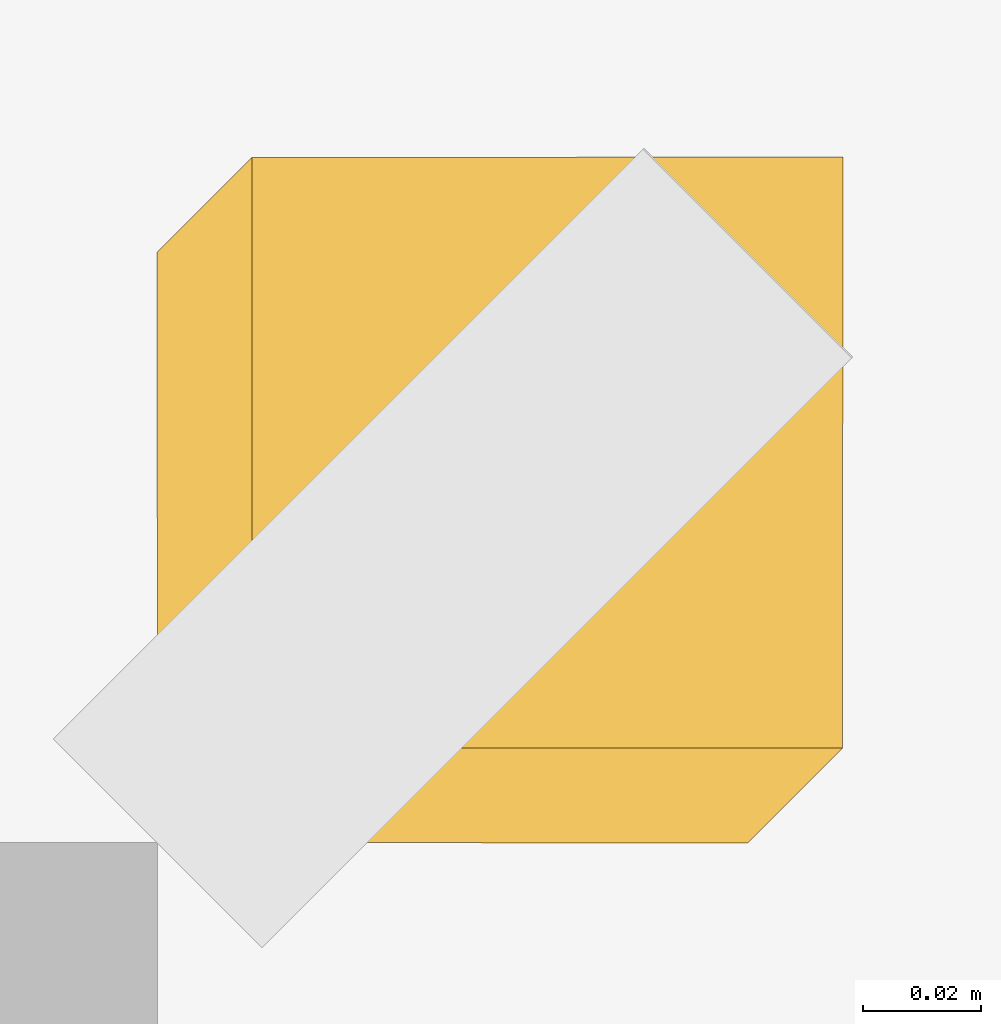
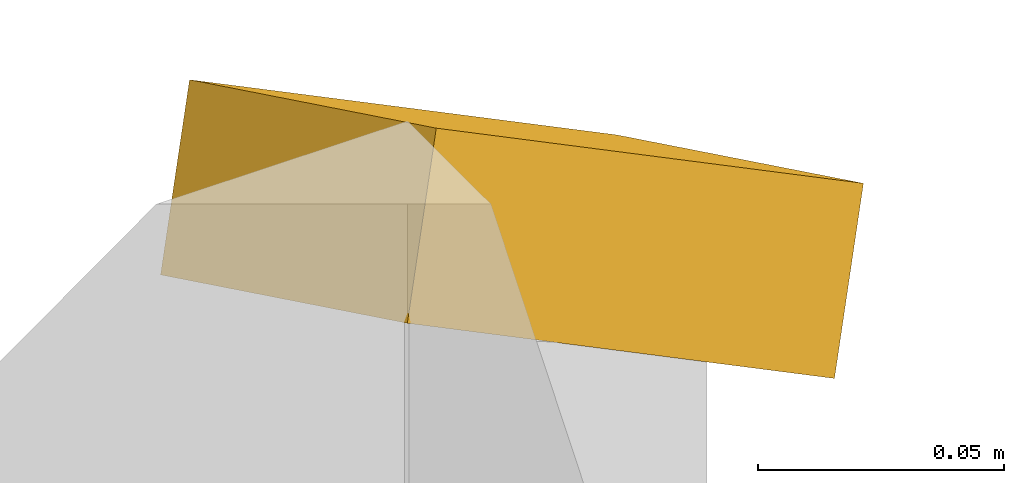
# One storey, part 58 of 59: 1 shading device.
"""IFC4 building model written with IfcOpenShell, lengths in metres."""

from ifc_helpers import new_model, si_unit, direction, frame, origin, place, context, subcontext, project, spatial, polyline, outline, extrude, material, layer, layer_set, type_object, element, save


model = new_model("IFC4")

# Units and contexts
model_context = context("Model", 3, precision=1e-05, world=origin(), true_north=direction((0.0, 1.0)))
body_context = subcontext(model_context, "Body", "Model", "MODEL_VIEW")
ifc_project = project(units=[si_unit("LENGTHUNIT", "METRE"), si_unit("AREAUNIT", "SQUARE_METRE"), si_unit("VOLUMEUNIT", "CUBIC_METRE"), si_unit("PLANEANGLEUNIT", "RADIAN"), si_unit("MASSUNIT", "GRAM", prefix="KILO")], contexts=[model_context])

# Site, building, storey
site_placement = place(None, origin())
site = spatial("IfcSite", under=ifc_project, at=site_placement, CompositionType="ELEMENT")
building_placement = place(site_placement, origin())
building = spatial("IfcBuilding", under=site, at=building_placement, Name="Ussher Court Research Institute", CompositionType="ELEMENT")
storey_placement = place(building_placement, frame((0.0, 0.0, 5.39990234375)))
storey = spatial("IfcBuildingStorey", under=building, at=storey_placement, Name="L01", CompositionType="ELEMENT", Elevation=5.39990234375)

# Shading device
ifc_material = material(Name="Bronze anodised aluminium", Category="aluminium")
ifc_layer = layer(ifc_material, 0.0400390625)
ifc_layer_set = layer_set([ifc_layer], Name="Bronze anodised aluminium")
shading_device_type = type_object("IfcShadingDeviceType", Name="Brim visor sheet 40 mm canted 26 deg wet", PredefinedType="USERDEFINED", material=ifc_layer_set)
shading_device_placement = place(storey_placement, frame((104.216064453125, 33.216064453125, 4.48291015625), z_axis=(0.400847757571, 0.400847757571, 0.823797396512), x_axis=(0.899269394429, -0.000362285341, -0.437395044544)))
element("IfcShadingDevice", 1, at=shading_device_placement, inside=storey, type_object=shading_device_type, Name="Brim visor sheet BR1 L01", ObjectType="BRIM", PredefinedType="USERDEFINED", context=body_context, shape_type="SweptSolid", body=[
    extrude(outline(polyline([(0.0, 0.0), (0.11126515272958254, 0.0), (0.13258606872546647, 0.10931209908468126), (0.021214130096336967, 0.10922405822982874), (0.0, 0.0)])), origin(), (0.0, 0.0, -1.0), 0.0400390625),
])

save(model, "model.ifc")
